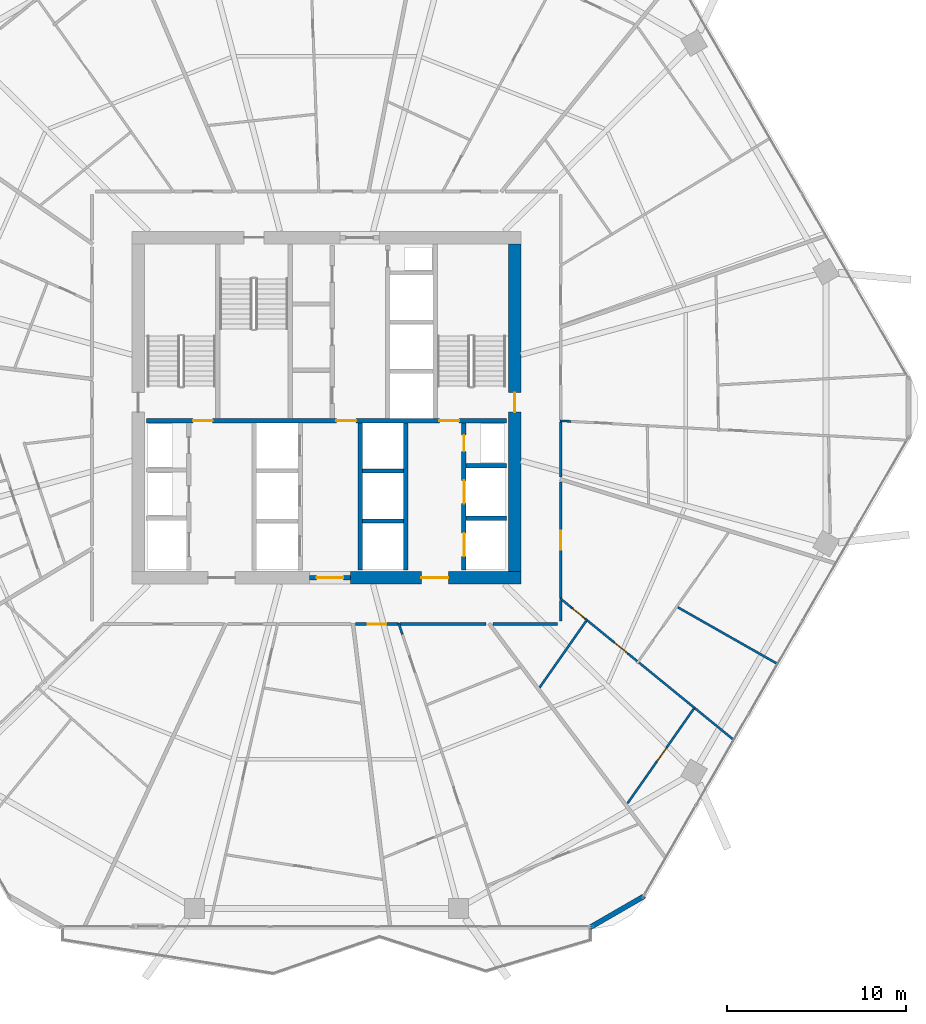
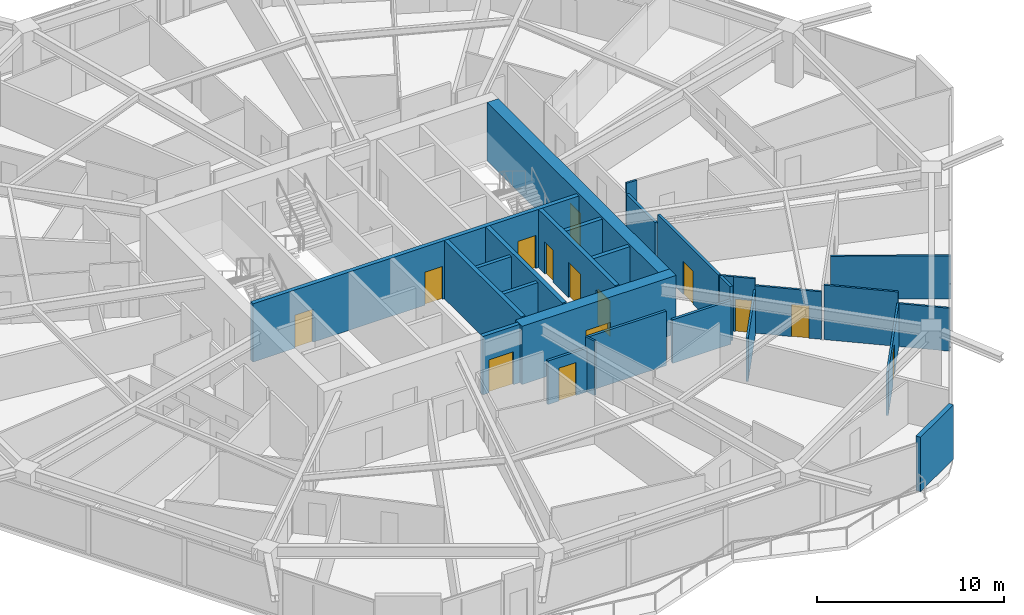
# One storey, part 26 of 33: 28 walls, 14 doors, 14 openings.
"""IFC4 building model written with IfcOpenShell, lengths in metres."""

from ifc_helpers import new_model, si_unit, direction, frame, frame_2d, origin, place, context, subcontext, project, spatial, rectangle, extrude, material, layer, layer_set, type_object, element, fill, save


model = new_model("IFC4")

# Units and contexts
model_context = context("Model", 3, precision=1e-05, world=origin(), true_north=direction((0.0, 1.0)))
body_context = subcontext(model_context, "Body", "Model", "MODEL_VIEW")
ifc_project = project(units=[si_unit("LENGTHUNIT", "METRE"), si_unit("AREAUNIT", "SQUARE_METRE"), si_unit("VOLUMEUNIT", "CUBIC_METRE"), si_unit("PLANEANGLEUNIT", "RADIAN"), si_unit("MASSUNIT", "GRAM", prefix="KILO")], contexts=[model_context])

# Site, building, storey
site_placement = place(None, origin())
site = spatial("IfcSite", under=ifc_project, at=site_placement, CompositionType="ELEMENT")
building_placement = place(site_placement, origin())
building = spatial("IfcBuilding", under=site, at=building_placement, Name="Zuhravey Tower", CompositionType="ELEMENT")
storey_placement = place(building_placement, frame((0.0, 0.0, 103.800048828125)))
storey = spatial("IfcBuildingStorey", under=building, at=storey_placement, Name="L25", CompositionType="ELEMENT", Elevation=103.800048828125)

# Wall, opening, door
ifc_material_1 = material(Name="Concrete C60/75", Category="concrete")
ifc_layer_1 = layer(ifc_material_1, 0.699951171875)
ifc_layer_set_1 = layer_set([ifc_layer_1], Name="Concrete C60/75")
wall_type_1 = type_object("IfcWallType", Name="Core Shear Wall 700", PredefinedType="SHEAR", material=ifc_layer_set_1)
wall_1_placement = place(storey_placement, frame((37.35009765625, 22.5, 0.0), z_axis=(0.0, 0.0, 1.0), x_axis=(1.0, 0.0, 0.0)))
wall_1 = element("IfcWall", 1, at=wall_1_placement, inside=storey, type_object=wall_type_1, Name="L25 South-East Core Shear Wall CW70", PredefinedType="SHEAR", context=body_context, shape_type="SweptSolid", body=[
    extrude(rectangle(XDim=9.5, YDim=0.699951171875, at=frame_2d((4.75, 0.0))), origin(), (0.0, 0.0, 1.0), 3.800048828125),
])
opening_1_placement = place(wall_1_placement, frame((3.949951171875, 0.0, 0.0)))
opening_1 = element("IfcOpeningElement", 2, at=opening_1_placement, cuts=wall_1, Name="Opening FFD1", PredefinedType="OPENING", context=body_context, shape_type="SweptSolid", body=[
    extrude(rectangle(XDim=1.5, YDim=2.14990234375, at=frame_2d((0.75, 1.074951171875))), frame((0.0, 0.362060546875, 0.0), z_axis=(0.0, -1.0, 0.0), x_axis=(1.0, 0.0, 0.0)), (0.0, 0.0, 1.0), 0.723876953125),
])
ifc_material_2 = material(Name="Galvanised fire-rated steel leaf", Category="steel")
door_type_1 = type_object("IfcDoorType", Name="Firefighting Lobby Double Door 1500x2150", OperationType="DOUBLE_DOOR_SINGLE_SWING", PredefinedType="DOOR", material=ifc_material_2)
door_1_placement = place(opening_1_placement, origin())
door_1 = element("IfcDoor", 3, at=door_1_placement, inside=storey, type_object=door_type_1, Name="L25 Firefighting Lobby East Door", OperationType="DOUBLE_DOOR_SINGLE_SWING", OverallHeight=2.14990234375, OverallWidth=1.5, PredefinedType="DOOR", context=body_context, shape_type="SweptSolid", body=[
    extrude(rectangle(XDim=1.5, YDim=2.14990234375, at=frame_2d((0.75, 1.074951171875))), frame((0.0, 0.02490234375, 0.0), z_axis=(0.0, -1.0, 0.0), x_axis=(1.0, 0.0, 0.0)), (0.0, 0.0, 1.0), 0.050048828125),
])
fill(opening_1, door_1)

wall_2_placement = place(storey_placement, frame((46.5, 22.85009765625, 0.0), z_axis=(0.0, 0.0, 1.0), x_axis=(0.0, 1.0, 0.0)))
wall_2 = element("IfcWall", 4, at=wall_2_placement, inside=storey, type_object=wall_type_1, Name="L25 East Core Shear Wall CW70", PredefinedType="SHEAR", context=body_context, shape_type="SweptSolid", body=[
    extrude(rectangle(XDim=18.2998046875, YDim=0.699951171875, at=frame_2d((9.14990234375, 0.0))), origin(), (0.0, 0.0, 1.0), 3.800048828125),
])
opening_2_placement = place(wall_2_placement, frame((8.89990234375, 0.0, 0.0)))
opening_2 = element("IfcOpeningElement", 5, at=opening_2_placement, cuts=wall_2, Name="Opening STD1", PredefinedType="OPENING", context=body_context, shape_type="SweptSolid", body=[
    extrude(rectangle(XDim=1.10009765625, YDim=2.14990234375, at=frame_2d((0.550048828125, 1.074951171875))), frame((0.0, 0.362060546875, 0.0), z_axis=(0.0, -1.0, 0.0), x_axis=(1.0, 0.0, 0.0)), (0.0, 0.0, 1.0), 0.723876953125),
])
door_type_2 = type_object("IfcDoorType", Name="Protected Stair Fire Door 1100x2150", OperationType="NOTDEFINED", PredefinedType="USERDEFINED", material=ifc_material_2)
door_2_placement = place(opening_2_placement, origin())
door_2 = element("IfcDoor", 6, at=door_2_placement, inside=storey, type_object=door_type_2, Name="L25 Stair ST2 Door", ObjectType="EXITDOOR", OperationType="SINGLE_SWING_LEFT", OverallHeight=2.14990234375, OverallWidth=1.10009765625, PredefinedType="USERDEFINED", context=body_context, shape_type="SweptSolid", body=[
    extrude(rectangle(XDim=1.10009765625, YDim=2.14990234375, at=frame_2d((0.550048828125, 1.074951171875))), frame((0.0, 0.02490234375, 0.0), z_axis=(0.0, -1.0, 0.0), x_axis=(1.0, 0.0, 0.0)), (0.0, 0.0, 1.0), 0.050048828125),
])
fill(opening_2, door_2)

ifc_material_3 = material(Name="Gypsum fire-rated stud partition")
ifc_layer_2 = layer(ifc_material_3, 0.159912109375)
ifc_layer_set_2 = layer_set([ifc_layer_2], Name="Gypsum fire-rated stud partition")
wall_type_2 = type_object("IfcWallType", Name="Corridor Fire Partition 160", PredefinedType="PARTITIONING", material=ifc_layer_set_2)
wall_3_placement = place(storey_placement, frame((37.610595703125, 19.919921875, 0.0), z_axis=(0.0, 0.0, 1.0), x_axis=(1.0, 0.0, 0.0)))
wall_3 = element("IfcWall", 7, at=wall_3_placement, inside=storey, type_object=wall_type_2, Name="L25 IW16 Partition 062", PredefinedType="PARTITIONING", context=body_context, shape_type="SweptSolid", body=[
    extrude(rectangle(XDim=2.414794921875, YDim=0.159912109375, at=frame_2d((1.20751953125, 0.0))), origin(), (0.0, 0.0, 1.0), 2.849853515625),
])
opening_3_placement = place(wall_3_placement, frame((0.6826171875, 0.0, 0.0)))
opening_3 = element("IfcOpeningElement", 8, at=opening_3_placement, cuts=wall_3, Name="Opening APD1", PredefinedType="OPENING", context=body_context, shape_type="SweptSolid", body=[
    extrude(rectangle(XDim=1.050048828125, YDim=2.14990234375, at=frame_2d((0.52490234375, 1.074951171875))), frame((0.0, 0.092041015625, 0.0), z_axis=(0.0, -1.0, 0.0), x_axis=(1.0, 0.0, 0.0)), (0.0, 0.0, 1.0), 0.183837890625),
])
ifc_material_4 = material(Name="Solid-core oak fire-rated leaf")
door_type_3 = type_object("IfcDoorType", Name="Apartment Entrance Fire Door 1050x2150", OperationType="NOTDEFINED", PredefinedType="DOOR", material=ifc_material_4)
door_3_placement = place(opening_3_placement, frame((1.050048828125, 0.0, 0.0), z_axis=(0.0, 0.0, 1.0), x_axis=(-1.0, 0.0, 0.0)))
door_3 = element("IfcDoor", 9, at=door_3_placement, inside=storey, type_object=door_type_3, Name="L25 Door 062.1", OperationType="SINGLE_SWING_LEFT", OverallHeight=2.14990234375, OverallWidth=1.050048828125, PredefinedType="DOOR", context=body_context, shape_type="SweptSolid", body=[
    extrude(rectangle(XDim=1.050048828125, YDim=2.14990234375, at=frame_2d((0.52490234375, 1.074951171875))), frame((0.0, 0.02490234375, 0.0), z_axis=(0.0, -1.0, 0.0), x_axis=(1.0, 0.0, 0.0)), (0.0, 0.0, 1.0), 0.050048828125),
])
fill(opening_3, door_3)

wall_4_placement = place(storey_placement, frame((49.080078125, 21.35791015625, 0.0), z_axis=(0.0, 0.0, 1.0), x_axis=(0.0, 1.0, 0.0)))
wall_4 = element("IfcWall", 10, at=wall_4_placement, inside=storey, type_object=wall_type_2, Name="L25 IW16 Partition 068", PredefinedType="PARTITIONING", context=body_context, shape_type="SweptSolid", body=[
    extrude(rectangle(XDim=6.4970703125, YDim=0.159912109375, at=frame_2d((3.24853515625, 0.0))), origin(), (0.0, 0.0, 1.0), 3.550048828125),
])
opening_4_placement = place(wall_4_placement, frame((2.723388671875, 0.0, 0.0)))
opening_4 = element("IfcOpeningElement", 11, at=opening_4_placement, cuts=wall_4, Name="Opening APD1", PredefinedType="OPENING", context=body_context, shape_type="SweptSolid", body=[
    extrude(rectangle(XDim=1.050048828125, YDim=2.14990234375, at=frame_2d((0.52490234375, 1.074951171875))), frame((0.0, 0.092041015625, 0.0), z_axis=(0.0, -1.0, 0.0), x_axis=(1.0, 0.0, 0.0)), (0.0, 0.0, 1.0), 0.183837890625),
])
door_4_placement = place(opening_4_placement, frame((1.050048828125, 0.0, 0.0), z_axis=(0.0, 0.0, 1.0), x_axis=(-1.0, 0.0, 0.0)))
door_4 = element("IfcDoor", 12, at=door_4_placement, inside=storey, type_object=door_type_3, Name="L25 Door 068.1", OperationType="SINGLE_SWING_LEFT", OverallHeight=2.14990234375, OverallWidth=1.050048828125, PredefinedType="DOOR", context=body_context, shape_type="SweptSolid", body=[
    extrude(rectangle(XDim=1.050048828125, YDim=2.14990234375, at=frame_2d((0.52490234375, 1.074951171875))), frame((0.0, 0.02490234375, 0.0), z_axis=(0.0, -1.0, 0.0), x_axis=(1.0, 0.0, 0.0)), (0.0, 0.0, 1.0), 0.050048828125),
])
fill(opening_4, door_4)

# Walls
wall_5_placement = place(storey_placement, frame((40.118408203125, 19.919921875, 0.0), z_axis=(0.0, 0.0, 1.0), x_axis=(1.0, 0.0, 0.0)))
element("IfcWall", 13, at=wall_5_placement, inside=storey, type_object=wall_type_2, Name="L25 IW16 Partition 148", PredefinedType="PARTITIONING", context=body_context, shape_type="SweptSolid", body=[
    extrude(rectangle(XDim=4.79541015625, YDim=0.159912109375, at=frame_2d((2.397705078125, 0.0))), origin(), (0.0, 0.0, 1.0), 3.550048828125),
])
wall_6_placement = place(storey_placement, frame((45.29443359375, 19.919921875, 0.0), z_axis=(0.0, 0.0, 1.0), x_axis=(1.0, 0.0, 0.0)))
element("IfcWall", 14, at=wall_6_placement, inside=storey, type_object=wall_type_2, Name="L25 IW16 Partition 149", PredefinedType="PARTITIONING", context=body_context, shape_type="SweptSolid", body=[
    extrude(rectangle(XDim=3.60546875, YDim=0.159912109375, at=frame_2d((1.802734375, 0.0))), origin(), (0.0, 0.0, 1.0), 2.849853515625),
])
wall_7_placement = place(storey_placement, frame((49.080078125, 20.10009765625, 0.0), z_axis=(0.0, 0.0, 1.0), x_axis=(0.0, 1.0, 0.0)))
element("IfcWall", 15, at=wall_7_placement, inside=storey, type_object=wall_type_2, Name="L25 IW16 Partition 150", PredefinedType="PARTITIONING", context=body_context, shape_type="SweptSolid", body=[
    extrude(rectangle(XDim=1.144287109375, YDim=0.159912109375, at=frame_2d((0.572265625, 0.0))), origin(), (0.0, 0.0, 1.0), 3.550048828125),
])
wall_8_placement = place(storey_placement, frame((49.080078125, 28.146484375, 0.0), z_axis=(0.0, 0.0, 1.0), x_axis=(0.0, 1.0, 0.0)))
element("IfcWall", 16, at=wall_8_placement, inside=storey, type_object=wall_type_2, Name="L25 IW16 Partition 151", PredefinedType="PARTITIONING", context=body_context, shape_type="SweptSolid", body=[
    extrude(rectangle(XDim=3.05419921875, YDim=0.159912109375, at=frame_2d((1.527099609375, 0.0))), origin(), (0.0, 0.0, 1.0), 2.849853515625),
])
ifc_material_5 = material(Name="Precast concrete C40/50", Category="concrete")
ifc_layer_3 = layer(ifc_material_5, 0.280029296875)
ifc_layer_set_3 = layer_set([ifc_layer_3], Name="Precast concrete C40/50")
wall_type_3 = type_object("IfcWallType", Name="Crown Architectural Wall 280", PredefinedType="SOLIDWALL", material=ifc_layer_set_3)
wall_9_placement = place(storey_placement, frame((53.76123046875, 4.75146484375, 0.0), z_axis=(0.0, 0.0, 1.0), x_axis=(-0.866007452331, -0.500031091541, 0.0)))
element("IfcWall", 17, at=wall_9_placement, inside=storey, type_object=wall_type_3, Name="L25 Rounded Corner Closure Wall EW28-02", PredefinedType="SOLIDWALL", context=body_context, shape_type="SweptSolid", body=[
    extrude(rectangle(XDim=3.514892578125, YDim=0.280029296875, at=frame_2d((1.75732421875, 0.0))), origin(), (0.0, 0.0, 1.0), 3.550048828125),
])

# Wall, opening, door
ifc_material_6 = material(Name="Concrete C50/60", Category="concrete")
ifc_layer_4 = layer(ifc_material_6, 0.25)
ifc_layer_set_4 = layer_set([ifc_layer_4], Name="Concrete C50/60")
wall_type_4 = type_object("IfcWallType", Name="Firefighting Shaft & Stair Wall 250", PredefinedType="SOLIDWALL", material=ifc_layer_set_4)
wall_10_placement = place(storey_placement, frame((35.06005859375, 22.5, 0.0), z_axis=(0.0, 0.0, 1.0), x_axis=(1.0, 0.0, 0.0)))
wall_10 = element("IfcWall", 18, at=wall_10_placement, inside=storey, type_object=wall_type_4, Name="L25 FW25 Shaft Wall 001", PredefinedType="SOLIDWALL", context=body_context, shape_type="SweptSolid", body=[
    extrude(rectangle(XDim=2.280029296875, YDim=0.25, at=frame_2d((1.14013671875, 0.0))), origin(), (0.0, 0.0, 1.0), 3.800048828125),
])
opening_5_placement = place(wall_10_placement, frame((0.389892578125, 0.0, 0.0)))
opening_5 = element("IfcOpeningElement", 19, at=opening_5_placement, cuts=wall_10, Name="Opening FFD1", PredefinedType="OPENING", context=body_context, shape_type="SweptSolid", body=[
    extrude(rectangle(XDim=1.5, YDim=2.14990234375, at=frame_2d((0.75, 1.074951171875))), frame((0.0, 0.136962890625, 0.0), z_axis=(0.0, -1.0, 0.0), x_axis=(1.0, 0.0, 0.0)), (0.0, 0.0, 1.0), 0.27392578125),
])
door_5_placement = place(opening_5_placement, frame((1.5, 0.0, 0.0), z_axis=(0.0, 0.0, 1.0), x_axis=(-1.0, 0.0, 0.0)))
door_5 = element("IfcDoor", 20, at=door_5_placement, inside=storey, type_object=door_type_1, Name="L25 South Lift Lobby Exit Door", OperationType="DOUBLE_DOOR_SINGLE_SWING", OverallHeight=2.14990234375, OverallWidth=1.5, PredefinedType="DOOR", context=body_context, shape_type="SweptSolid", body=[
    extrude(rectangle(XDim=1.5, YDim=2.14990234375, at=frame_2d((0.75, 1.074951171875))), frame((0.0, 0.02490234375, 0.0), z_axis=(0.0, -1.0, 0.0), x_axis=(1.0, 0.0, 0.0)), (0.0, 0.0, 1.0), 0.050048828125),
])
fill(opening_5, door_5)

# Wall, openings, doors
wall_11_placement = place(storey_placement, frame((25.949951171875, 31.27490234375, 0.0), z_axis=(0.0, 0.0, 1.0), x_axis=(1.0, 0.0, 0.0)))
wall_11 = element("IfcWall", 21, at=wall_11_placement, inside=storey, type_object=wall_type_4, Name="L25 FW25 Shaft Wall 003", PredefinedType="SOLIDWALL", context=body_context, shape_type="SweptSolid", body=[
    extrude(rectangle(XDim=20.10009765625, YDim=0.25, at=frame_2d((10.050048828125, 0.0))), origin(), (0.0, 0.0, 1.0), 3.800048828125),
])
opening_6_placement = place(wall_11_placement, frame((2.60009765625, 0.0, 0.0)))
opening_6 = element("IfcOpeningElement", 22, at=opening_6_placement, cuts=wall_11, Name="Opening STD1", PredefinedType="OPENING", context=body_context, shape_type="SweptSolid", body=[
    extrude(rectangle(XDim=1.10009765625, YDim=2.14990234375, at=frame_2d((0.550048828125, 1.074951171875))), frame((0.0, 0.136962890625, 0.0), z_axis=(0.0, -1.0, 0.0), x_axis=(1.0, 0.0, 0.0)), (0.0, 0.0, 1.0), 0.27392578125),
])
opening_7_placement = place(wall_11_placement, frame((10.60009765625, 0.0, 0.0)))
opening_7 = element("IfcOpeningElement", 23, at=opening_7_placement, cuts=wall_11, Name="Opening STD1", PredefinedType="OPENING", context=body_context, shape_type="SweptSolid", body=[
    extrude(rectangle(XDim=1.10009765625, YDim=2.14990234375, at=frame_2d((0.550048828125, 1.074951171875))), frame((0.0, 0.136962890625, 0.0), z_axis=(0.0, -1.0, 0.0), x_axis=(1.0, 0.0, 0.0)), (0.0, 0.0, 1.0), 0.27392578125),
])
opening_8_placement = place(wall_11_placement, frame((16.35009765625, 0.0, 0.0)))
opening_8 = element("IfcOpeningElement", 24, at=opening_8_placement, cuts=wall_11, Name="Opening STD1", PredefinedType="OPENING", context=body_context, shape_type="SweptSolid", body=[
    extrude(rectangle(XDim=1.10009765625, YDim=2.14990234375, at=frame_2d((0.550048828125, 1.074951171875))), frame((0.0, 0.136962890625, 0.0), z_axis=(0.0, -1.0, 0.0), x_axis=(1.0, 0.0, 0.0)), (0.0, 0.0, 1.0), 0.27392578125),
])
door_6_placement = place(opening_6_placement, origin())
door_6 = element("IfcDoor", 25, at=door_6_placement, inside=storey, type_object=door_type_2, Name="L25 FFL-W to ST1 Door", ObjectType="EXITDOOR", OperationType="SINGLE_SWING_LEFT", OverallHeight=2.14990234375, OverallWidth=1.10009765625, PredefinedType="USERDEFINED", context=body_context, shape_type="SweptSolid", body=[
    extrude(rectangle(XDim=1.10009765625, YDim=2.14990234375, at=frame_2d((0.550048828125, 1.074951171875))), frame((0.0, 0.02490234375, 0.0), z_axis=(0.0, -1.0, 0.0), x_axis=(1.0, 0.0, 0.0)), (0.0, 0.0, 1.0), 0.050048828125),
])
fill(opening_6, door_6)
door_7_placement = place(opening_7_placement, origin())
door_7 = element("IfcDoor", 26, at=door_7_placement, inside=storey, type_object=door_type_2, Name="L25 Core Lobby Link Door", ObjectType="EXITDOOR", OperationType="SINGLE_SWING_RIGHT", OverallHeight=2.14990234375, OverallWidth=1.10009765625, PredefinedType="USERDEFINED", context=body_context, shape_type="SweptSolid", body=[
    extrude(rectangle(XDim=1.10009765625, YDim=2.14990234375, at=frame_2d((0.550048828125, 1.074951171875))), frame((0.0, 0.02490234375, 0.0), z_axis=(0.0, -1.0, 0.0), x_axis=(1.0, 0.0, 0.0)), (0.0, 0.0, 1.0), 0.050048828125),
])
fill(opening_7, door_7)
door_8_placement = place(opening_8_placement, origin())
door_8 = element("IfcDoor", 27, at=door_8_placement, inside=storey, type_object=door_type_2, Name="L25 FFL-E to ST2 Door", ObjectType="EXITDOOR", OperationType="SINGLE_SWING_LEFT", OverallHeight=2.14990234375, OverallWidth=1.10009765625, PredefinedType="USERDEFINED", context=body_context, shape_type="SweptSolid", body=[
    extrude(rectangle(XDim=1.10009765625, YDim=2.14990234375, at=frame_2d((0.550048828125, 1.074951171875))), frame((0.0, 0.02490234375, 0.0), z_axis=(0.0, -1.0, 0.0), x_axis=(1.0, 0.0, 0.0)), (0.0, 0.0, 1.0), 0.050048828125),
])
fill(opening_8, door_8)

# Walls
for number, where, z_axis, x_axis, name in (
    (28, (37.875, 22.949951171875, 0.0), (0.0, 0.0, 1.0), (0.0, 1.0, 0.0), "L25 FW25 Shaft Wall 014"),
    (29, (40.425048828125, 22.949951171875, 0.0), (0.0, 0.0, 1.0), (0.0, 1.0, 0.0), "L25 FW25 Shaft Wall 015"),
):
    element("IfcWall", number, at=place(storey_placement, frame(where, z_axis=z_axis, x_axis=x_axis)), inside=storey, type_object=wall_type_4, Name=name, PredefinedType="SOLIDWALL", context=body_context, shape_type="SweptSolid", body=[
        extrude(rectangle(XDim=8.199951171875, YDim=0.25, at=frame_2d((4.10009765625, 0.0))), origin(), (0.0, 0.0, 1.0), 3.800048828125),
    ])
for number, where, z_axis, x_axis, name in (
    (30, (43.800048828125, 25.824951171875, 0.0), (0.0, 0.0, 1.0), (1.0, 0.0, 0.0), "L25 FW25 Shaft Wall 016"),
    (31, (43.800048828125, 28.77490234375, 0.0), (0.0, 0.0, 1.0), (1.0, 0.0, 0.0), "L25 FW25 Shaft Wall 017"),
):
    element("IfcWall", number, at=place(storey_placement, frame(where, z_axis=z_axis, x_axis=x_axis)), inside=storey, type_object=wall_type_4, Name=name, PredefinedType="SOLIDWALL", context=body_context, shape_type="SweptSolid", body=[
        extrude(rectangle(XDim=2.25, YDim=0.25, at=frame_2d((1.125, 0.0))), origin(), (0.0, 0.0, 1.0), 3.800048828125),
    ])

# Wall, openings, doors
wall_12_placement = place(storey_placement, frame((43.675048828125, 22.949951171875, 0.0), z_axis=(0.0, 0.0, 1.0), x_axis=(0.0, 1.0, 0.0)))
wall_12 = element("IfcWall", 32, at=wall_12_placement, inside=storey, type_object=wall_type_4, Name="L25 FW25 Shaft Wall 018", PredefinedType="SOLIDWALL", context=body_context, shape_type="SweptSolid", body=[
    extrude(rectangle(XDim=8.199951171875, YDim=0.25, at=frame_2d((4.10009765625, 0.0))), origin(), (0.0, 0.0, 1.0), 3.800048828125),
])
opening_9_placement = place(wall_12_placement, frame((0.75, 0.0, 0.0)))
opening_9 = element("IfcOpeningElement", 33, at=opening_9_placement, cuts=wall_12, Name="Opening LD2", PredefinedType="OPENING", context=body_context, shape_type="SweptSolid", body=[
    extrude(rectangle(XDim=1.300048828125, YDim=2.300048828125, at=frame_2d((0.64990234375, 1.14990234375))), frame((0.0, 0.136962890625, 0.0), z_axis=(0.0, -1.0, 0.0), x_axis=(1.0, 0.0, 0.0)), (0.0, 0.0, 1.0), 0.27392578125),
])
opening_10_placement = place(wall_12_placement, frame((3.699951171875, 0.0, 0.0)))
opening_10 = element("IfcOpeningElement", 34, at=opening_10_placement, cuts=wall_12, Name="Opening LD2", PredefinedType="OPENING", context=body_context, shape_type="SweptSolid", body=[
    extrude(rectangle(XDim=1.300048828125, YDim=2.300048828125, at=frame_2d((0.64990234375, 1.14990234375))), frame((0.0, 0.136962890625, 0.0), z_axis=(0.0, -1.0, 0.0), x_axis=(1.0, 0.0, 0.0)), (0.0, 0.0, 1.0), 0.27392578125),
])
opening_11_placement = place(wall_12_placement, frame((6.6201171875, 0.0, 0.0)))
opening_11 = element("IfcOpeningElement", 35, at=opening_11_placement, cuts=wall_12, Name="Opening RSD1", PredefinedType="OPENING", context=body_context, shape_type="SweptSolid", body=[
    extrude(rectangle(XDim=0.89990234375, YDim=2.10009765625, at=frame_2d((0.449951171875, 1.050048828125))), frame((0.0, 0.136962890625, 0.0), z_axis=(0.0, -1.0, 0.0), x_axis=(1.0, 0.0, 0.0)), (0.0, 0.0, 1.0), 0.27392578125),
])
ifc_material_7 = material(Name="Brushed stainless steel", Category="steel")
door_type_4 = type_object("IfcDoorType", Name="Freight & Stretcher Lift Sliding Door 1300x2300", OperationType="DOUBLE_DOOR_SLIDING", PredefinedType="DOOR", material=ifc_material_7)
door_9_placement = place(opening_9_placement, origin())
door_9 = element("IfcDoor", 36, at=door_9_placement, inside=storey, type_object=door_type_4, Name="L25 Lift FF2 Landing Door", OperationType="DOUBLE_DOOR_SLIDING", OverallHeight=2.300048828125, OverallWidth=1.300048828125, PredefinedType="DOOR", context=body_context, shape_type="SweptSolid", body=[
    extrude(rectangle(XDim=1.300048828125, YDim=2.300048828125, at=frame_2d((0.64990234375, 1.14990234375))), frame((0.0, 0.02490234375, 0.0), z_axis=(0.0, -1.0, 0.0), x_axis=(1.0, 0.0, 0.0)), (0.0, 0.0, 1.0), 0.050048828125),
])
fill(opening_9, door_9)
door_10_placement = place(opening_10_placement, origin())
door_10 = element("IfcDoor", 37, at=door_10_placement, inside=storey, type_object=door_type_4, Name="L25 Lift SV1 Landing Door", OperationType="DOUBLE_DOOR_SLIDING", OverallHeight=2.300048828125, OverallWidth=1.300048828125, PredefinedType="DOOR", context=body_context, shape_type="SweptSolid", body=[
    extrude(rectangle(XDim=1.300048828125, YDim=2.300048828125, at=frame_2d((0.64990234375, 1.14990234375))), frame((0.0, 0.02490234375, 0.0), z_axis=(0.0, -1.0, 0.0), x_axis=(1.0, 0.0, 0.0)), (0.0, 0.0, 1.0), 0.050048828125),
])
fill(opening_10, door_10)
ifc_material_8 = material(Name="Galvanised fire-rated steel access leaf", Category="steel")
door_type_5 = type_object("IfcDoorType", Name="Riser & Shaft Access Fire Door 900x2100", OperationType="NOTDEFINED", PredefinedType="DOOR", material=ifc_material_8)
door_11_placement = place(opening_11_placement, origin())
door_11 = element("IfcDoor", 38, at=door_11_placement, inside=storey, type_object=door_type_5, Name="L25 Plumbing Riser Door", OperationType="SINGLE_SWING_RIGHT", OverallHeight=2.10009765625, OverallWidth=0.89990234375, PredefinedType="DOOR", context=body_context, shape_type="SweptSolid", body=[
    extrude(rectangle(XDim=0.89990234375, YDim=2.10009765625, at=frame_2d((0.449951171875, 1.050048828125))), frame((0.0, 0.02490234375, 0.0), z_axis=(0.0, -1.0, 0.0), x_axis=(1.0, 0.0, 0.0)), (0.0, 0.0, 1.0), 0.050048828125),
])
fill(opening_11, door_11)

# Walls
ifc_material_9 = material(Name="Gypsum acoustic stud assembly")
ifc_layer_5 = layer(ifc_material_9, 0.219970703125)
ifc_layer_set_5 = layer_set([ifc_layer_5], Name="Gypsum acoustic stud assembly")
wall_type_5 = type_object("IfcWallType", Name="School Acoustic Compartment Wall 220", PredefinedType="PARTITIONING", material=ifc_layer_set_5)
for number, where, z_axis, x_axis, name in (
    (39, (38.008056640625, 25.675048828125, 0.0), (0.0, 0.0, 1.0), (1.0, 0.0, 0.0), "L25 IW22 Partition 082"),
    (40, (38.008056640625, 28.47509765625, 0.0), (0.0, 0.0, 1.0), (1.0, 0.0, 0.0), "L25 IW22 Partition 083"),
):
    element("IfcWall", number, at=place(storey_placement, frame(where, z_axis=z_axis, x_axis=x_axis)), inside=storey, type_object=wall_type_5, Name=name, PredefinedType="PARTITIONING", context=body_context, shape_type="SweptSolid", body=[
        extrude(rectangle(XDim=2.283935546875, YDim=0.219970703125, at=frame_2d((1.14208984375, 0.0))), origin(), (0.0, 0.0, 1.0), 3.550048828125),
    ])

# Wall, opening, door
ifc_material_10 = material(Name="Gypsum metal-stud partition")
ifc_layer_6 = layer(ifc_material_10, 0.1201171875)
ifc_layer_set_6 = layer_set([ifc_layer_6], Name="Gypsum metal-stud partition")
wall_type_6 = type_object("IfcWallType", Name="Unit Internal Partition 120", PredefinedType="PARTITIONING", material=ifc_layer_set_6)
wall_13_placement = place(storey_placement, frame((49.64990234375, 20.8671875, 0.0), z_axis=(0.0, 0.0, 1.0), x_axis=(0.775048691625, -0.631901515752, 0.0)))
wall_13 = element("IfcWall", 41, at=wall_13_placement, inside=storey, type_object=wall_type_6, Name="L25 IW12 Partition 064", PredefinedType="PARTITIONING", context=body_context, shape_type="SweptSolid", body=[
    extrude(rectangle(XDim=1.164794921875, YDim=0.1201171875, at=frame_2d((0.58251953125, 0.0))), origin(), (0.0, 0.0, 1.0), 3.550048828125),
])
opening_12_placement = place(wall_13_placement, frame((0.1201171875, 0.0, 0.0)))
opening_12 = element("IfcOpeningElement", 42, at=opening_12_placement, cuts=wall_13, Name="Opening WCD1", PredefinedType="OPENING", context=body_context, shape_type="SweptSolid", body=[
    extrude(rectangle(XDim=0.89990234375, YDim=2.10009765625, at=frame_2d((0.449951171875, 1.050048828125))), frame((0.0, 0.072021484375, 0.0), z_axis=(0.0, -1.0, 0.0), x_axis=(1.0, 0.0, 0.0)), (0.0, 0.0, 1.0), 0.14404296875),
])
ifc_material_11 = material(Name="Moisture-resistant timber leaf", Category="wood")
door_type_6 = type_object("IfcDoorType", Name="Bathroom & WC Internal Door 900x2100", OperationType="NOTDEFINED", PredefinedType="DOOR", material=ifc_material_11)
door_12_placement = place(opening_12_placement, frame((0.89990234375, 0.0, 0.0), z_axis=(0.0, 0.0, 1.0), x_axis=(-1.0, 0.0, 0.0)))
door_12 = element("IfcDoor", 43, at=door_12_placement, inside=storey, type_object=door_type_6, Name="Apartment L25-10 Bathroom Door", OperationType="SINGLE_SWING_RIGHT", OverallHeight=2.10009765625, OverallWidth=0.89990234375, PredefinedType="DOOR", context=body_context, shape_type="SweptSolid", body=[
    extrude(rectangle(XDim=0.89990234375, YDim=2.10009765625, at=frame_2d((0.449951171875, 1.050048828125))), frame((0.0, 0.02490234375, 0.0), z_axis=(0.0, -1.0, 0.0), x_axis=(1.0, 0.0, 0.0)), (0.0, 0.0, 1.0), 0.050048828125),
])
fill(opening_12, door_12)

wall_14_placement = place(storey_placement, frame((50.552734375, 20.131103515625, 0.0), z_axis=(0.0, 0.0, 1.0), x_axis=(0.7749603795, -0.632009818124, 0.0)))
wall_14 = element("IfcWall", 44, at=wall_14_placement, inside=storey, type_object=wall_type_6, Name="L25 IW12 Partition 065", PredefinedType="PARTITIONING", context=body_context, shape_type="SweptSolid", body=[
    extrude(rectangle(XDim=3.5966796875, YDim=0.1201171875, at=frame_2d((1.79833984375, 0.0))), origin(), (0.0, 0.0, 1.0), 3.099853515625),
])
opening_13_placement = place(wall_14_placement, frame((1.97119140625, 0.0, 0.0)))
opening_13 = element("IfcOpeningElement", 45, at=opening_13_placement, cuts=wall_14, Name="Opening IND1", PredefinedType="OPENING", context=body_context, shape_type="SweptSolid", body=[
    extrude(rectangle(XDim=0.949951171875, YDim=2.10009765625, at=frame_2d((0.47509765625, 1.050048828125))), frame((0.0, 0.072021484375, 0.0), z_axis=(0.0, -1.0, 0.0), x_axis=(1.0, 0.0, 0.0)), (0.0, 0.0, 1.0), 0.14404296875),
])
ifc_material_12 = material(Name="Painted engineered timber leaf", Category="wood")
door_type_7 = type_object("IfcDoorType", Name="Internal Room & Bedroom Door 950x2100", OperationType="NOTDEFINED", PredefinedType="DOOR", material=ifc_material_12)
door_13_placement = place(opening_13_placement, frame((0.949951171875, 0.0, 0.0), z_axis=(0.0, 0.0, 1.0), x_axis=(-1.0, 0.0, 0.0)))
door_13 = element("IfcDoor", 46, at=door_13_placement, inside=storey, type_object=door_type_7, Name="Apartment L25-10 Home Office Door", OperationType="SINGLE_SWING_LEFT", OverallHeight=2.10009765625, OverallWidth=0.949951171875, PredefinedType="DOOR", context=body_context, shape_type="SweptSolid", body=[
    extrude(rectangle(XDim=0.949951171875, YDim=2.10009765625, at=frame_2d((0.47509765625, 1.050048828125))), frame((0.0, 0.02490234375, 0.0), z_axis=(0.0, -1.0, 0.0), x_axis=(1.0, 0.0, 0.0)), (0.0, 0.0, 1.0), 0.050048828125),
])
fill(opening_13, door_13)

# Wall
wall_15_placement = place(storey_placement, frame((53.44580078125, 17.771484375, 0.0), z_axis=(0.0, 0.0, 1.0), x_axis=(0.774958236323, -0.632012446045, 0.0)))
element("IfcWall", 47, at=wall_15_placement, inside=storey, type_object=wall_type_6, Name="L25 IW12 Partition 066", PredefinedType="PARTITIONING", context=body_context, shape_type="SweptSolid", body=[
    extrude(rectangle(XDim=4.01708984375, YDim=0.1201171875, at=frame_2d((2.008544921875, 0.0))), origin(), (0.0, 0.0, 1.0), 3.550048828125),
])

# Wall, opening, door
wall_16_placement = place(storey_placement, frame((52.812255859375, 9.925537109375, 0.0), z_axis=(0.0, 0.0, 1.0), x_axis=(0.573569367982, 0.819156993569, 0.0)))
wall_16 = element("IfcWall", 48, at=wall_16_placement, inside=storey, type_object=wall_type_6, Name="L25 IW12 Partition 067", PredefinedType="PARTITIONING", context=body_context, shape_type="SweptSolid", body=[
    extrude(rectangle(XDim=6.429931640625, YDim=0.1201171875, at=frame_2d((3.21484375, 0.0))), origin(), (0.0, 0.0, 1.0), 2.849853515625),
])
opening_14_placement = place(wall_16_placement, frame((2.82421875, 0.0, 0.0)))
opening_14 = element("IfcOpeningElement", 49, at=opening_14_placement, cuts=wall_16, Name="Opening IND1", PredefinedType="OPENING", context=body_context, shape_type="SweptSolid", body=[
    extrude(rectangle(XDim=0.949951171875, YDim=2.10009765625, at=frame_2d((0.47509765625, 1.050048828125))), frame((0.0, 0.072021484375, 0.0), z_axis=(0.0, -1.0, 0.0), x_axis=(1.0, 0.0, 0.0)), (0.0, 0.0, 1.0), 0.14404296875),
])
door_14_placement = place(opening_14_placement, frame((0.949951171875, 0.0, 0.0), z_axis=(0.0, 0.0, 1.0), x_axis=(-1.0, 0.0, 0.0)))
door_14 = element("IfcDoor", 50, at=door_14_placement, inside=storey, type_object=door_type_7, Name="Apartment L25-10 Bedroom 1 Door", OperationType="SINGLE_SWING_RIGHT", OverallHeight=2.10009765625, OverallWidth=0.949951171875, PredefinedType="DOOR", context=body_context, shape_type="SweptSolid", body=[
    extrude(rectangle(XDim=0.949951171875, YDim=2.10009765625, at=frame_2d((0.47509765625, 1.050048828125))), frame((0.0, 0.02490234375, 0.0), z_axis=(0.0, -1.0, 0.0), x_axis=(1.0, 0.0, 0.0)), (0.0, 0.0, 1.0), 0.050048828125),
])
fill(opening_14, door_14)

# Walls
wall_17_placement = place(storey_placement, frame((40.031982421875, 19.963623046875, 0.0), z_axis=(0.0, 0.0, 1.0), x_axis=(0.317698912626, -0.948191647778, 0.0)))
element("IfcWall", 51, at=wall_17_placement, inside=storey, type_object=wall_type_6, Name="L25 IW12 Partition 124", PredefinedType="PARTITIONING", context=body_context, shape_type="SweptSolid", body=[
    extrude(rectangle(XDim=0.64697265625, YDim=0.1201171875, at=frame_2d((0.323486328125, 0.0))), origin(), (0.0, 0.0, 1.0), 3.550048828125),
])
wall_18_placement = place(storey_placement, frame((55.60986328125, 20.8623046875, 0.0), z_axis=(0.0, 0.0, 1.0), x_axis=(0.869533184144, -0.493874520169, 0.0)))
element("IfcWall", 52, at=wall_18_placement, inside=storey, type_object=wall_type_6, Name="L25 IW12 Partition 128", PredefinedType="PARTITIONING", context=body_context, shape_type="SweptSolid", body=[
    extrude(rectangle(XDim=6.437255859375, YDim=0.1201171875, at=frame_2d((3.21875, 0.0))), origin(), (0.0, 0.0, 1.0), 2.800048828125),
])
wall_19_placement = place(storey_placement, frame((49.04833984375, 21.35791015625, 0.0), z_axis=(0.0, 0.0, 1.0), x_axis=(0.774881234923, -0.63210685154, 0.0)))
element("IfcWall", 53, at=wall_19_placement, inside=storey, type_object=wall_type_6, Name="L25 IW12 Partition 129", PredefinedType="PARTITIONING", context=body_context, shape_type="SweptSolid", body=[
    extrude(rectangle(XDim=0.7763671875, YDim=0.1201171875, at=frame_2d((0.38818359375, 0.0))), origin(), (0.0, 0.0, 1.0), 3.550048828125),
])
wall_20_placement = place(storey_placement, frame((56.558837890625, 15.232666015625, 0.0), z_axis=(0.0, 0.0, 1.0), x_axis=(0.774954560458, -0.632016953274, 0.0)))
element("IfcWall", 54, at=wall_20_placement, inside=storey, type_object=wall_type_6, Name="L25 IW12 Partition 130", PredefinedType="PARTITIONING", context=body_context, shape_type="SweptSolid", body=[
    extrude(rectangle(XDim=2.8115234375, YDim=0.1201171875, at=frame_2d((1.40576171875, 0.0))), origin(), (0.0, 0.0, 1.0), 2.800048828125),
])
wall_21_placement = place(storey_placement, frame((47.900634765625, 16.386962890625, 0.0), z_axis=(0.0, 0.0, 1.0), x_axis=(0.573556554724, 0.819165965195, 0.0)))
element("IfcWall", 55, at=wall_21_placement, inside=storey, type_object=wall_type_6, Name="L25 IW12 Partition 131", PredefinedType="PARTITIONING", context=body_context, shape_type="SweptSolid", body=[
    extrude(rectangle(XDim=4.521728515625, YDim=0.1201171875, at=frame_2d((2.2607421875, 0.0))), origin(), (0.0, 0.0, 1.0), 2.849853515625),
])
wall_22_placement = place(storey_placement, frame((49.034912109375, 31.271240234375, 0.0), z_axis=(0.0, 0.0, 1.0), x_axis=(0.998437094127, -0.055887110072, 0.0)))
element("IfcWall", 56, at=wall_22_placement, inside=storey, type_object=wall_type_6, Name="L25 IW12 Partition 134", PredefinedType="PARTITIONING", context=body_context, shape_type="SweptSolid", body=[
    extrude(rectangle(XDim=0.615966796875, YDim=0.1201171875, at=frame_2d((0.30810546875, 0.0))), origin(), (0.0, 0.0, 1.0), 3.550048828125),
])

save(model, "model.ifc")
